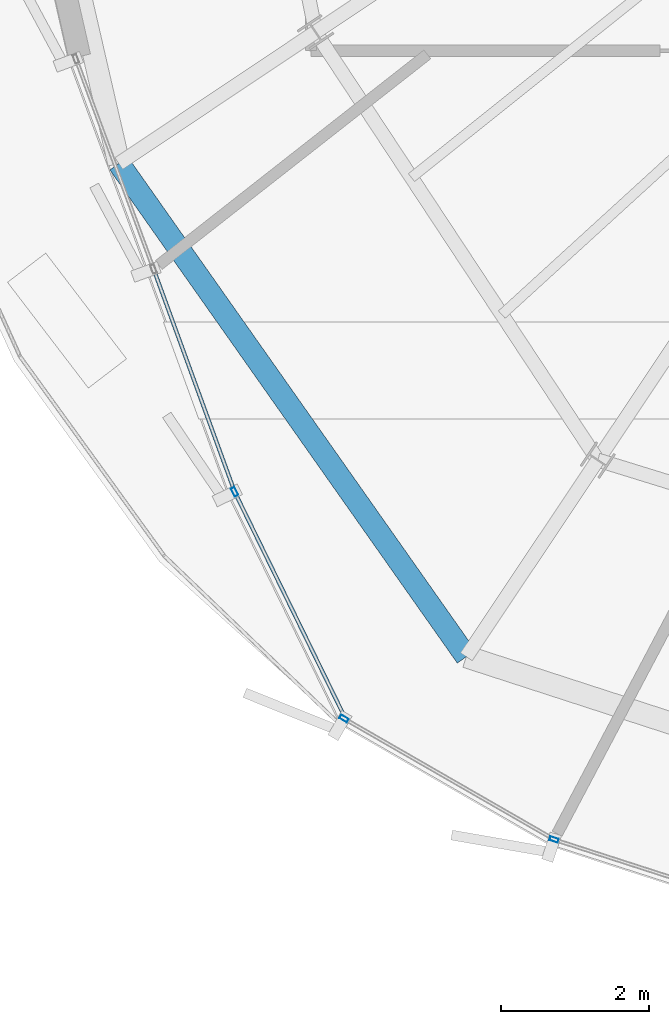
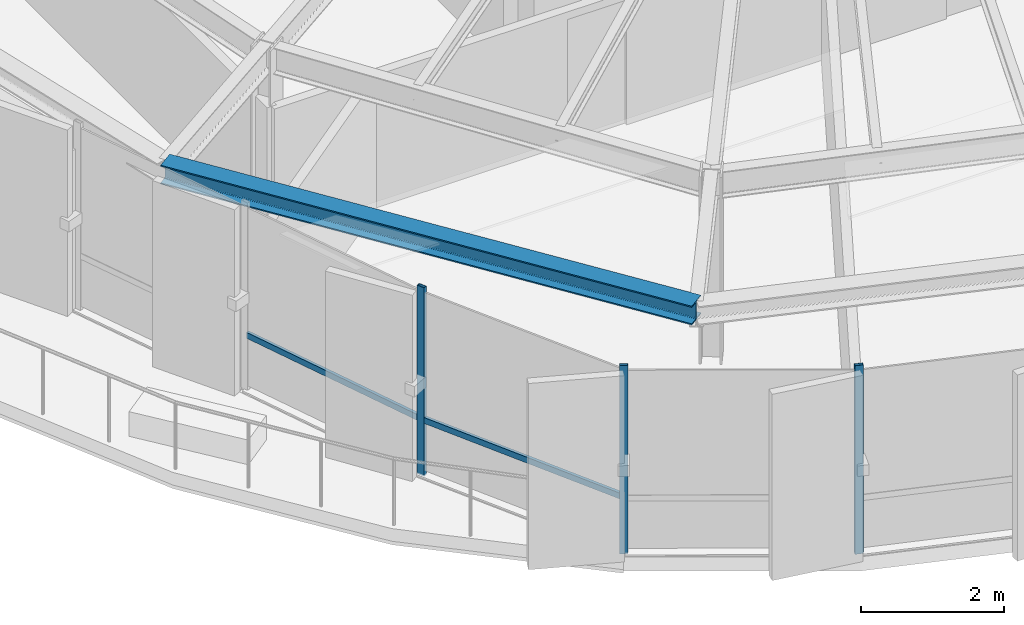
# One storey, part 2 of 32: 5 members, 1 beam, 1 element without a shape of its own.
"""IFC4 building model written with IfcOpenShell, lengths in metres."""

from ifc_helpers import new_model, si_unit, direction, frame, origin, origin_2d, place, context, subcontext, project, spatial, hollow_rectangle, i_section, extrude, source, transform, mapped, material, layer, layer_set, material_profile, profile_set, type_object, element, aggregate, save


model = new_model("IFC4")

# Units and contexts
model_context = context("Model", 3, precision=1e-05, world=origin(), true_north=direction((0.0, 1.0)))
body_context = subcontext(model_context, "Body", "Model", "MODEL_VIEW")
ifc_project = project(units=[si_unit("LENGTHUNIT", "METRE"), si_unit("AREAUNIT", "SQUARE_METRE"), si_unit("VOLUMEUNIT", "CUBIC_METRE"), si_unit("PLANEANGLEUNIT", "RADIAN"), si_unit("MASSUNIT", "GRAM", prefix="KILO"), si_unit("THERMODYNAMICTEMPERATUREUNIT", "KELVIN")], contexts=[model_context])

# Site, building, storey
site_placement = place(None, origin())
site = spatial("IfcSite", under=ifc_project, at=site_placement, CompositionType="ELEMENT")
building_placement = place(site_placement, origin())
building = spatial("IfcBuilding", under=site, at=building_placement, Name="Kethvar Cultural Tower", CompositionType="ELEMENT")
storey_placement = place(building_placement, frame((0.0, 0.0, 252.550048828125)))
storey = spatial("IfcBuildingStorey", under=building, at=storey_placement, Name="L66", CompositionType="ELEMENT", Elevation=252.550048828125)

# Beam
ifc_material_1 = material(Name="Steel S355J2", Category="steel")
ifc_material_profile_1 = material_profile(ifc_material_1, i_section(OverallWidth=0.300048828125, OverallDepth=0.320068359375, WebThickness=0.011474609375, FlangeThickness=0.0205078125, FilletRadius=0.027099609375, at=origin_2d()), Name="Steel S355J2 — HEB320")
ifc_profile_set_1 = profile_set([ifc_material_profile_1], Name="Steel S355J2 — HEB320")
beam_type = type_object("IfcBeamType", Name="BM-SP320", PredefinedType="SPANDREL", material=ifc_profile_set_1)
shared_shape_1 = source(origin(), body_context, "Body", "SweptSolid", [
    extrude(i_section(OverallWidth=0.300048828125, OverallDepth=0.320068359375, WebThickness=0.011474609375, FlangeThickness=0.0205078125, FilletRadius=0.027099609375, at=origin_2d()), origin(), (0.0, 0.0, 1.0), 8.16259765625),
])
beam_placement = place(storey_placement, frame((30.252197265625, 16.7431640625, 3.0478515625), z_axis=(0.575940812748, -0.817491394579, 0.0), x_axis=(0.817491394579, 0.575940812748, 0.0)))
element("IfcBeam", 1, at=beam_placement, inside=storey, type_object=beam_type, Name="L66 Perimeter Spandrel Beam SP-10", PredefinedType="SPANDREL", context=body_context, shape_type="MappedRepresentation", body=[
    mapped(shared_shape_1, transform((0.0, 0.0, 0.0), scale=1.0)),
])

# Curtain wall, members
ifc_material_2 = material(Name="Aluminium 6063-T6", Category="aluminium")
ifc_layer = layer(ifc_material_2, 0.179931640625, Name="Aluminium 6063-T6", Category="aluminium")
ifc_layer_set = layer_set([ifc_layer], Name="Aluminium 6063-T6 (180 mm)")
curtain_wall_type = type_object("IfcCurtainWallType", Name="CW-SYS-05-Z56", PredefinedType="NOTDEFINED", material=ifc_layer_set)
curtain_wall_placement = place(storey_placement, origin())
curtain_wall = element("IfcCurtainWall", 2, at=curtain_wall_placement, inside=storey, type_object=curtain_wall_type, Name="L66 Curtain Wall Run 04", PredefinedType="NOTDEFINED")
ifc_material_profile_2 = material_profile(ifc_material_2, hollow_rectangle(XDim=0.054931640625, YDim=0.1201171875, WallThickness=0.00390625, at=origin_2d()), Name="Aluminium 6063-T6 — RHS120x55x4")
ifc_profile_set_2 = profile_set([ifc_material_profile_2], Name="Aluminium 6063-T6 — RHS120x55x4")
member_type_1 = type_object("IfcMemberType", Name="CW-SYS-05-Z56-MUL", PredefinedType="MULLION", material=ifc_profile_set_2)
shared_shape_2 = source(origin(), body_context, "Body", "SweptSolid", [
    extrude(hollow_rectangle(XDim=0.054931640625, YDim=0.1201171875, WallThickness=0.00390625, at=origin_2d()), origin(), (0.0, 0.0, 1.0), 3.2099609375),
])
member_1_placement = place(storey_placement, frame((31.818115234375, 12.301513671875, 0.0), z_axis=(0.0, 0.0, 1.0), x_axis=(0.898487786499, 0.438998516526, 0.0)))
member_1 = element("IfcMember", 3, at=member_1_placement, type_object=member_type_1, Name="CW-L66-R04 Mullion 3", PredefinedType="MULLION", context=body_context, shape_type="MappedRepresentation", body=[
    mapped(shared_shape_2, transform((0.0, 0.0, 0.0), scale=1.0)),
])
member_2_placement = place(storey_placement, frame((33.2978515625, 9.23388671875, 0.0), z_axis=(0.0, 0.0, 1.0), x_axis=(0.498623905426, 0.86681843597, 0.0)))
member_2 = element("IfcMember", 4, at=member_2_placement, type_object=member_type_1, Name="CW-L66-R04 Mullion 4", PredefinedType="MULLION", context=body_context, shape_type="MappedRepresentation", body=[
    mapped(shared_shape_2, transform((0.0, 0.0, 0.0), scale=1.0)),
])
member_3_placement = place(storey_placement, frame((36.139892578125, 7.5966796875, 0.0), z_axis=(0.0, 0.0, 1.0), x_axis=(0.307340009298, 0.951599768119, 0.0)))
member_3 = element("IfcMember", 5, at=member_3_placement, type_object=member_type_1, Name="CW-L66-R04 Mullion 5", PredefinedType="MULLION", context=body_context, shape_type="MappedRepresentation", body=[
    mapped(shared_shape_2, transform((0.0, 0.0, 0.0), scale=1.0)),
])
ifc_material_profile_3 = material_profile(ifc_material_2, hollow_rectangle(XDim=0.050048828125, YDim=0.10009765625, WallThickness=0.00390625, at=origin_2d()), Name="Aluminium 6063-T6 — RHS100x50x4")
ifc_profile_set_3 = profile_set([ifc_material_profile_3], Name="Aluminium 6063-T6 — RHS100x50x4")
member_type_2 = type_object("IfcMemberType", Name="CW-SYS-05-Z56-TRN", PredefinedType="USERDEFINED", material=ifc_profile_set_3)
shared_shape_3 = source(origin(), body_context, "Body", "SweptSolid", [
    extrude(hollow_rectangle(XDim=0.050048828125, YDim=0.10009765625, WallThickness=0.00390625, at=origin_2d()), origin(), (0.0, 0.0, 1.0), 3.137939453125),
])
member_4_placement = place(storey_placement, frame((30.7353515625, 15.27783203125, 0.949951171875), z_axis=(0.342017911267, -0.939693433186, 0.0), x_axis=(0.939693433186, 0.342017911267, 0.0)))
member_4 = element("IfcMember", 6, at=member_4_placement, type_object=member_type_2, Name="CW-L66-R04 Transom 2", ObjectType="TRANSOM", PredefinedType="USERDEFINED", context=body_context, shape_type="MappedRepresentation", body=[
    mapped(shared_shape_3, transform((0.0, 0.0, 0.0), scale=1.0)),
])
shared_shape_4 = source(origin(), body_context, "Body", "SweptSolid", [
    extrude(hollow_rectangle(XDim=0.050048828125, YDim=0.10009765625, WallThickness=0.00390625, at=origin_2d()), origin(), (0.0, 0.0, 1.0), 3.382568359375),
])
member_5_placement = place(storey_placement, frame((31.83544921875, 12.265869140625, 0.949951171875), z_axis=(0.439053487434, -0.89846092579, 0.0), x_axis=(0.89846092579, 0.439053487434, 0.0)))
member_5 = element("IfcMember", 7, at=member_5_placement, type_object=member_type_2, Name="CW-L66-R04 Transom 3", ObjectType="TRANSOM", PredefinedType="USERDEFINED", context=body_context, shape_type="MappedRepresentation", body=[
    mapped(shared_shape_4, transform((0.0, 0.0, 0.0), scale=1.0)),
])
aggregate(curtain_wall, [member_1, member_2, member_3, member_4, member_5])

save(model, "model.ifc")
